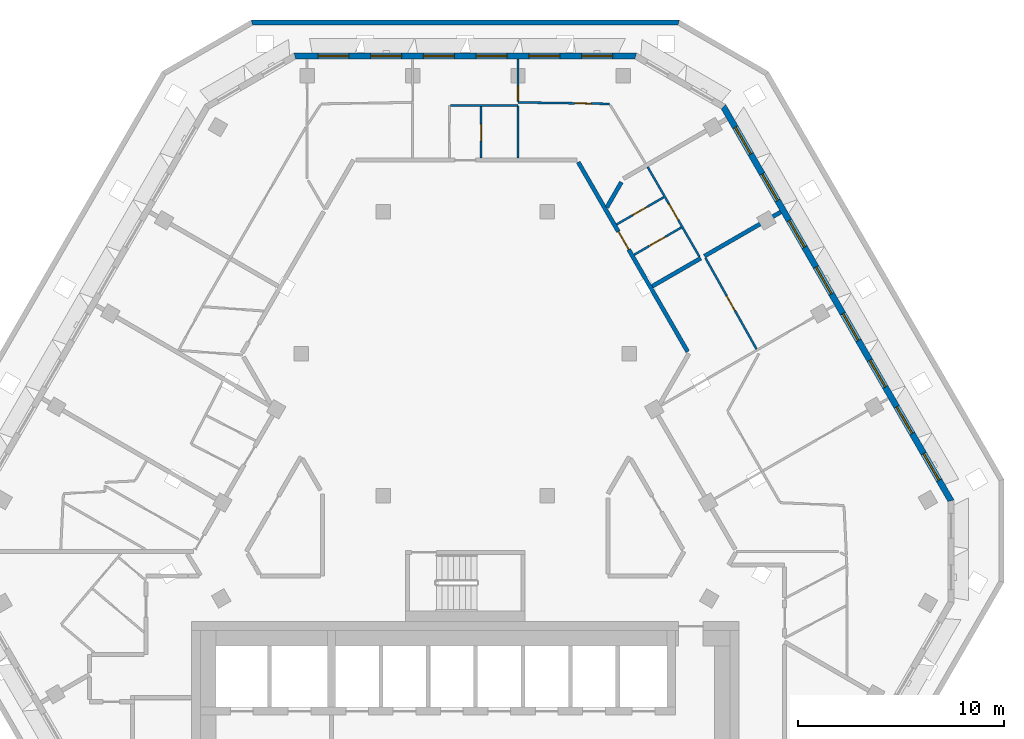
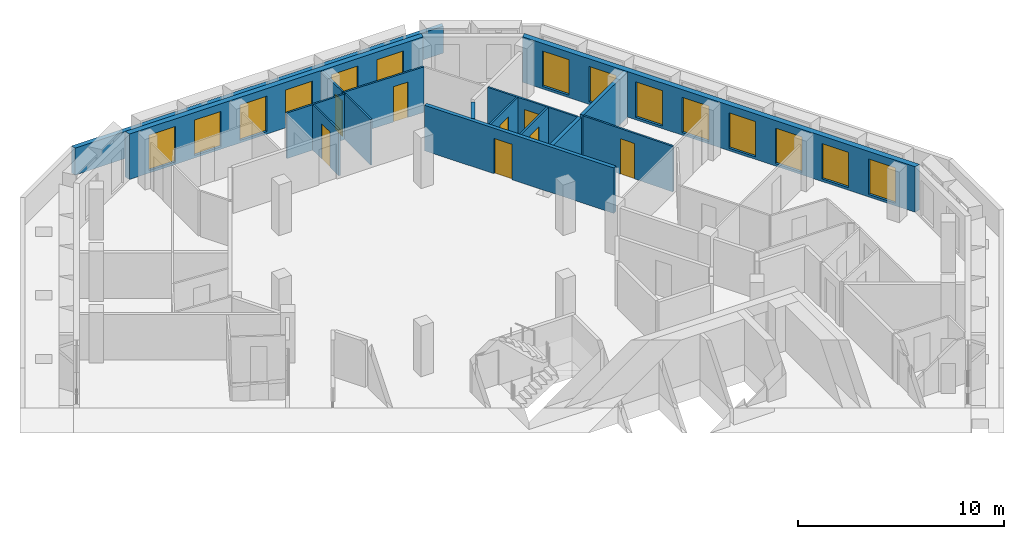
# One storey, part 8 of 15: 16 walls, 14 windows, 8 doors, 22 openings.
"""IFC4 building model written with IfcOpenShell, lengths in metres."""

from ifc_helpers import new_model, si_unit, direction, frame, frame_2d, origin, place, context, subcontext, project, spatial, polyline, rectangle, outline, extrude, material, layer, layer_set, type_object, element, fill, save


model = new_model("IFC4")

# Units and contexts
model_context = context("Model", 3, precision=1e-05, world=origin(), true_north=direction((0.0, 1.0)))
body_context = subcontext(model_context, "Body", "Model", "MODEL_VIEW")
ifc_project = project(units=[si_unit("LENGTHUNIT", "METRE"), si_unit("AREAUNIT", "SQUARE_METRE"), si_unit("VOLUMEUNIT", "CUBIC_METRE"), si_unit("PLANEANGLEUNIT", "RADIAN"), si_unit("MASSUNIT", "GRAM", prefix="KILO")], contexts=[model_context])

# Site, building, storey
site_placement = place(None, origin())
site = spatial("IfcSite", under=ifc_project, at=site_placement, CompositionType="ELEMENT")
building_placement = place(site_placement, origin())
building = spatial("IfcBuilding", under=site, at=building_placement, Name="Beryl Residences", CompositionType="ELEMENT")
storey_placement = place(building_placement, frame((0.0, 0.0, 202.800048828125)))
storey = spatial("IfcBuildingStorey", under=building, at=storey_placement, Name="L62", CompositionType="ELEMENT", Elevation=202.800048828125)

# Wall, openings, windows
ifc_material_1 = material(Name="Composite metal panel with mineral wool insulation")
ifc_layer_1 = layer(ifc_material_1, 0.300048828125)
ifc_layer_set_1 = layer_set([ifc_layer_1], Name="ES1 pale metal composite panel wall 300 mm")
wall_type_1 = type_object("IfcWallType", Name="ES1 pale metal composite panel wall 300 mm", PredefinedType="SOLIDWALL", material=ifc_layer_set_1)
wall_1_placement = place(storey_placement, frame((8.31396484375, 22.449951171875, 0.0), z_axis=(0.0, 0.0, 1.0), x_axis=(-1.0, 0.0, 0.0)))
wall_1 = element("IfcWall", 1, at=wall_1_placement, inside=storey, type_object=wall_type_1, Name="ES1 external wall L62 N", PredefinedType="SOLIDWALL", context=body_context, shape_type="SweptSolid", body=[
    extrude(outline(polyline([(0.0, -0.14990234375), (16.6279296875, -0.14990234375), (16.547607421875, 0.14990234375), (0.080322265625, 0.14990234375), (0.0, -0.14990234375)])), origin(), (0.0, 0.0, 1.0), 2.699951171875),
])
opening_1_placement = place(wall_1_placement, frame((1.1650390625, 0.0, 0.14990234375)))
opening_1 = element("IfcOpeningElement", 2, at=opening_1_placement, cuts=wall_1, Name="Opening W1", PredefinedType="OPENING", context=body_context, shape_type="SweptSolid", body=[
    extrude(rectangle(XDim=1.5, YDim=2.10009765625, at=frame_2d((0.75, 1.050048828125))), frame((0.0, 0.159912109375, 0.0), z_axis=(0.0, -1.0, 0.0), x_axis=(1.0, 0.0, 0.0)), (0.0, 0.0, 1.0), 0.320068359375),
])
opening_2_placement = place(wall_1_placement, frame((3.72412109375, 0.0, 0.14990234375)))
opening_2 = element("IfcOpeningElement", 3, at=opening_2_placement, cuts=wall_1, Name="Opening W1", PredefinedType="OPENING", context=body_context, shape_type="SweptSolid", body=[
    extrude(rectangle(XDim=1.5, YDim=2.10009765625, at=frame_2d((0.75, 1.050048828125))), frame((0.0, 0.159912109375, 0.0), z_axis=(0.0, -1.0, 0.0), x_axis=(1.0, 0.0, 0.0)), (0.0, 0.0, 1.0), 0.320068359375),
])
opening_3_placement = place(wall_1_placement, frame((6.283935546875, 0.0, 0.14990234375)))
opening_3 = element("IfcOpeningElement", 4, at=opening_3_placement, cuts=wall_1, Name="Opening W1", PredefinedType="OPENING", context=body_context, shape_type="SweptSolid", body=[
    extrude(rectangle(XDim=1.5, YDim=2.10009765625, at=frame_2d((0.75, 1.050048828125))), frame((0.0, 0.159912109375, 0.0), z_axis=(0.0, -1.0, 0.0), x_axis=(1.0, 0.0, 0.0)), (0.0, 0.0, 1.0), 0.320068359375),
])
opening_4_placement = place(wall_1_placement, frame((8.843017578125, 0.0, 0.14990234375)))
opening_4 = element("IfcOpeningElement", 5, at=opening_4_placement, cuts=wall_1, Name="Opening W1", PredefinedType="OPENING", context=body_context, shape_type="SweptSolid", body=[
    extrude(rectangle(XDim=1.5, YDim=2.10009765625, at=frame_2d((0.75, 1.050048828125))), frame((0.0, 0.159912109375, 0.0), z_axis=(0.0, -1.0, 0.0), x_axis=(1.0, 0.0, 0.0)), (0.0, 0.0, 1.0), 0.320068359375),
])
opening_5_placement = place(wall_1_placement, frame((11.403076171875, 0.0, 0.14990234375)))
opening_5 = element("IfcOpeningElement", 6, at=opening_5_placement, cuts=wall_1, Name="Opening W1", PredefinedType="OPENING", context=body_context, shape_type="SweptSolid", body=[
    extrude(rectangle(XDim=1.5, YDim=2.10009765625, at=frame_2d((0.75, 1.050048828125))), frame((0.0, 0.159912109375, 0.0), z_axis=(0.0, -1.0, 0.0), x_axis=(1.0, 0.0, 0.0)), (0.0, 0.0, 1.0), 0.320068359375),
])
opening_6_placement = place(wall_1_placement, frame((13.9619140625, 0.0, 0.14990234375)))
opening_6 = element("IfcOpeningElement", 7, at=opening_6_placement, cuts=wall_1, Name="Opening W1", PredefinedType="OPENING", context=body_context, shape_type="SweptSolid", body=[
    extrude(rectangle(XDim=1.5, YDim=2.10009765625, at=frame_2d((0.75, 1.050048828125))), frame((0.0, 0.159912109375, 0.0), z_axis=(0.0, -1.0, 0.0), x_axis=(1.0, 0.0, 0.0)), (0.0, 0.0, 1.0), 0.320068359375),
])
ifc_material_2 = material(Name="Aluminium and clear glass", Category="aluminium")
window_type = type_object("IfcWindowType", Name="W1 cell window 1500 x 2100 mm", PartitioningType="SINGLE_PANEL", PredefinedType="WINDOW", material=ifc_material_2)
window_1_placement = place(opening_1_placement, origin())
window_1 = element("IfcWindow", 8, at=window_1_placement, inside=storey, type_object=window_type, Name="W1 window L62 N 1", OverallHeight=2.10009765625, OverallWidth=1.5, PartitioningType="SINGLE_PANEL", PredefinedType="WINDOW", context=body_context, shape_type="SweptSolid", body=[
    extrude(rectangle(XDim=1.5, YDim=2.10009765625, at=frame_2d((0.75, 1.050048828125))), frame((0.0, 0.030029296875, 0.0), z_axis=(0.0, -1.0, 0.0), x_axis=(1.0, 0.0, 0.0)), (0.0, 0.0, 1.0), 0.06005859375),
])
fill(opening_1, window_1)
window_2_placement = place(opening_2_placement, origin())
window_2 = element("IfcWindow", 9, at=window_2_placement, inside=storey, type_object=window_type, Name="W1 window L62 N 2", OverallHeight=2.10009765625, OverallWidth=1.5, PartitioningType="SINGLE_PANEL", PredefinedType="WINDOW", context=body_context, shape_type="SweptSolid", body=[
    extrude(rectangle(XDim=1.5, YDim=2.10009765625, at=frame_2d((0.75, 1.050048828125))), frame((0.0, 0.030029296875, 0.0), z_axis=(0.0, -1.0, 0.0), x_axis=(1.0, 0.0, 0.0)), (0.0, 0.0, 1.0), 0.06005859375),
])
fill(opening_2, window_2)
window_3_placement = place(opening_3_placement, origin())
window_3 = element("IfcWindow", 10, at=window_3_placement, inside=storey, type_object=window_type, Name="W1 window L62 N 3", OverallHeight=2.10009765625, OverallWidth=1.5, PartitioningType="SINGLE_PANEL", PredefinedType="WINDOW", context=body_context, shape_type="SweptSolid", body=[
    extrude(rectangle(XDim=1.5, YDim=2.10009765625, at=frame_2d((0.75, 1.050048828125))), frame((0.0, 0.030029296875, 0.0), z_axis=(0.0, -1.0, 0.0), x_axis=(1.0, 0.0, 0.0)), (0.0, 0.0, 1.0), 0.06005859375),
])
fill(opening_3, window_3)
window_4_placement = place(opening_4_placement, origin())
window_4 = element("IfcWindow", 11, at=window_4_placement, inside=storey, type_object=window_type, Name="W1 window L62 N 4", OverallHeight=2.10009765625, OverallWidth=1.5, PartitioningType="SINGLE_PANEL", PredefinedType="WINDOW", context=body_context, shape_type="SweptSolid", body=[
    extrude(rectangle(XDim=1.5, YDim=2.10009765625, at=frame_2d((0.75, 1.050048828125))), frame((0.0, 0.030029296875, 0.0), z_axis=(0.0, -1.0, 0.0), x_axis=(1.0, 0.0, 0.0)), (0.0, 0.0, 1.0), 0.06005859375),
])
fill(opening_4, window_4)
window_5_placement = place(opening_5_placement, origin())
window_5 = element("IfcWindow", 12, at=window_5_placement, inside=storey, type_object=window_type, Name="W1 window L62 N 5", OverallHeight=2.10009765625, OverallWidth=1.5, PartitioningType="SINGLE_PANEL", PredefinedType="WINDOW", context=body_context, shape_type="SweptSolid", body=[
    extrude(rectangle(XDim=1.5, YDim=2.10009765625, at=frame_2d((0.75, 1.050048828125))), frame((0.0, 0.030029296875, 0.0), z_axis=(0.0, -1.0, 0.0), x_axis=(1.0, 0.0, 0.0)), (0.0, 0.0, 1.0), 0.06005859375),
])
fill(opening_5, window_5)
window_6_placement = place(opening_6_placement, origin())
window_6 = element("IfcWindow", 13, at=window_6_placement, inside=storey, type_object=window_type, Name="W1 window L62 N 6", OverallHeight=2.10009765625, OverallWidth=1.5, PartitioningType="SINGLE_PANEL", PredefinedType="WINDOW", context=body_context, shape_type="SweptSolid", body=[
    extrude(rectangle(XDim=1.5, YDim=2.10009765625, at=frame_2d((0.75, 1.050048828125))), frame((0.0, 0.030029296875, 0.0), z_axis=(0.0, -1.0, 0.0), x_axis=(1.0, 0.0, 0.0)), (0.0, 0.0, 1.0), 0.06005859375),
])
fill(opening_6, window_6)

wall_2_placement = place(storey_placement, frame((23.59912109375, 0.824951171875, 0.0), z_axis=(0.0, 0.0, 1.0), x_axis=(-0.500003656944, 0.866023292436, 0.0)))
wall_2 = element("IfcWall", 14, at=wall_2_placement, inside=storey, type_object=wall_type_1, Name="ES1 external wall L62 NE", PredefinedType="SOLIDWALL", context=body_context, shape_type="SweptSolid", body=[
    extrude(outline(polyline([(0.0, -0.14990234375), (22.170166015625, -0.14990234375), (22.08984375, 0.14990234375), (0.080322265625, 0.14990234375), (0.0, -0.14990234375)])), origin(), (0.0, 0.0, 1.0), 2.699951171875),
])
opening_7_placement = place(wall_2_placement, frame((1.19091796875, 0.0, 0.14990234375)))
opening_7 = element("IfcOpeningElement", 15, at=opening_7_placement, cuts=wall_2, Name="Opening W1", PredefinedType="OPENING", context=body_context, shape_type="SweptSolid", body=[
    extrude(rectangle(XDim=1.5, YDim=2.10009765625, at=frame_2d((0.75, 1.050048828125))), frame((0.0, 0.159912109375, 0.0), z_axis=(0.0, -1.0, 0.0), x_axis=(1.0, 0.0, 0.0)), (0.0, 0.0, 1.0), 0.320068359375),
])
opening_8_placement = place(wall_2_placement, frame((3.803955078125, 0.0, 0.14990234375)))
opening_8 = element("IfcOpeningElement", 16, at=opening_8_placement, cuts=wall_2, Name="Opening W1", PredefinedType="OPENING", context=body_context, shape_type="SweptSolid", body=[
    extrude(rectangle(XDim=1.5, YDim=2.10009765625, at=frame_2d((0.75, 1.050048828125))), frame((0.0, 0.159912109375, 0.0), z_axis=(0.0, -1.0, 0.0), x_axis=(1.0, 0.0, 0.0)), (0.0, 0.0, 1.0), 0.320068359375),
])
opening_9_placement = place(wall_2_placement, frame((6.4169921875, 0.0, 0.14990234375)))
opening_9 = element("IfcOpeningElement", 17, at=opening_9_placement, cuts=wall_2, Name="Opening W1", PredefinedType="OPENING", context=body_context, shape_type="SweptSolid", body=[
    extrude(rectangle(XDim=1.5, YDim=2.10009765625, at=frame_2d((0.75, 1.050048828125))), frame((0.0, 0.159912109375, 0.0), z_axis=(0.0, -1.0, 0.0), x_axis=(1.0, 0.0, 0.0)), (0.0, 0.0, 1.0), 0.320068359375),
])
opening_10_placement = place(wall_2_placement, frame((9.029052734375, 0.0, 0.14990234375)))
opening_10 = element("IfcOpeningElement", 18, at=opening_10_placement, cuts=wall_2, Name="Opening W1", PredefinedType="OPENING", context=body_context, shape_type="SweptSolid", body=[
    extrude(rectangle(XDim=1.5, YDim=2.10009765625, at=frame_2d((0.75, 1.050048828125))), frame((0.0, 0.159912109375, 0.0), z_axis=(0.0, -1.0, 0.0), x_axis=(1.0, 0.0, 0.0)), (0.0, 0.0, 1.0), 0.320068359375),
])
opening_11_placement = place(wall_2_placement, frame((11.64111328125, 0.0, 0.14990234375)))
opening_11 = element("IfcOpeningElement", 19, at=opening_11_placement, cuts=wall_2, Name="Opening W1", PredefinedType="OPENING", context=body_context, shape_type="SweptSolid", body=[
    extrude(rectangle(XDim=1.5, YDim=2.10009765625, at=frame_2d((0.75, 1.050048828125))), frame((0.0, 0.159912109375, 0.0), z_axis=(0.0, -1.0, 0.0), x_axis=(1.0, 0.0, 0.0)), (0.0, 0.0, 1.0), 0.320068359375),
])
opening_12_placement = place(wall_2_placement, frame((14.25390625, 0.0, 0.14990234375)))
opening_12 = element("IfcOpeningElement", 20, at=opening_12_placement, cuts=wall_2, Name="Opening W1", PredefinedType="OPENING", context=body_context, shape_type="SweptSolid", body=[
    extrude(rectangle(XDim=1.5, YDim=2.10009765625, at=frame_2d((0.75, 1.050048828125))), frame((0.0, 0.159912109375, 0.0), z_axis=(0.0, -1.0, 0.0), x_axis=(1.0, 0.0, 0.0)), (0.0, 0.0, 1.0), 0.320068359375),
])
opening_13_placement = place(wall_2_placement, frame((16.865966796875, 0.0, 0.14990234375)))
opening_13 = element("IfcOpeningElement", 21, at=opening_13_placement, cuts=wall_2, Name="Opening W1", PredefinedType="OPENING", context=body_context, shape_type="SweptSolid", body=[
    extrude(rectangle(XDim=1.5, YDim=2.10009765625, at=frame_2d((0.75, 1.050048828125))), frame((0.0, 0.159912109375, 0.0), z_axis=(0.0, -1.0, 0.0), x_axis=(1.0, 0.0, 0.0)), (0.0, 0.0, 1.0), 0.320068359375),
])
opening_14_placement = place(wall_2_placement, frame((19.47900390625, 0.0, 0.14990234375)))
opening_14 = element("IfcOpeningElement", 22, at=opening_14_placement, cuts=wall_2, Name="Opening W1", PredefinedType="OPENING", context=body_context, shape_type="SweptSolid", body=[
    extrude(rectangle(XDim=1.5, YDim=2.10009765625, at=frame_2d((0.75, 1.050048828125))), frame((0.0, 0.159912109375, 0.0), z_axis=(0.0, -1.0, 0.0), x_axis=(1.0, 0.0, 0.0)), (0.0, 0.0, 1.0), 0.320068359375),
])
window_7_placement = place(opening_7_placement, origin())
window_7 = element("IfcWindow", 23, at=window_7_placement, inside=storey, type_object=window_type, Name="W1 window L62 NE 1", OverallHeight=2.10009765625, OverallWidth=1.5, PartitioningType="SINGLE_PANEL", PredefinedType="WINDOW", context=body_context, shape_type="SweptSolid", body=[
    extrude(rectangle(XDim=1.5, YDim=2.10009765625, at=frame_2d((0.75, 1.050048828125))), frame((0.0, 0.030029296875, 0.0), z_axis=(0.0, -1.0, 0.0), x_axis=(1.0, 0.0, 0.0)), (0.0, 0.0, 1.0), 0.06005859375),
])
fill(opening_7, window_7)
window_8_placement = place(opening_8_placement, origin())
window_8 = element("IfcWindow", 24, at=window_8_placement, inside=storey, type_object=window_type, Name="W1 window L62 NE 2", OverallHeight=2.10009765625, OverallWidth=1.5, PartitioningType="SINGLE_PANEL", PredefinedType="WINDOW", context=body_context, shape_type="SweptSolid", body=[
    extrude(rectangle(XDim=1.5, YDim=2.10009765625, at=frame_2d((0.75, 1.050048828125))), frame((0.0, 0.030029296875, 0.0), z_axis=(0.0, -1.0, 0.0), x_axis=(1.0, 0.0, 0.0)), (0.0, 0.0, 1.0), 0.06005859375),
])
fill(opening_8, window_8)
window_9_placement = place(opening_9_placement, origin())
window_9 = element("IfcWindow", 25, at=window_9_placement, inside=storey, type_object=window_type, Name="W1 window L62 NE 3", OverallHeight=2.10009765625, OverallWidth=1.5, PartitioningType="SINGLE_PANEL", PredefinedType="WINDOW", context=body_context, shape_type="SweptSolid", body=[
    extrude(rectangle(XDim=1.5, YDim=2.10009765625, at=frame_2d((0.75, 1.050048828125))), frame((0.0, 0.030029296875, 0.0), z_axis=(0.0, -1.0, 0.0), x_axis=(1.0, 0.0, 0.0)), (0.0, 0.0, 1.0), 0.06005859375),
])
fill(opening_9, window_9)
window_10_placement = place(opening_10_placement, origin())
window_10 = element("IfcWindow", 26, at=window_10_placement, inside=storey, type_object=window_type, Name="W1 window L62 NE 4", OverallHeight=2.10009765625, OverallWidth=1.5, PartitioningType="SINGLE_PANEL", PredefinedType="WINDOW", context=body_context, shape_type="SweptSolid", body=[
    extrude(rectangle(XDim=1.5, YDim=2.10009765625, at=frame_2d((0.75, 1.050048828125))), frame((0.0, 0.030029296875, 0.0), z_axis=(0.0, -1.0, 0.0), x_axis=(1.0, 0.0, 0.0)), (0.0, 0.0, 1.0), 0.06005859375),
])
fill(opening_10, window_10)
window_11_placement = place(opening_11_placement, origin())
window_11 = element("IfcWindow", 27, at=window_11_placement, inside=storey, type_object=window_type, Name="W1 window L62 NE 5", OverallHeight=2.10009765625, OverallWidth=1.5, PartitioningType="SINGLE_PANEL", PredefinedType="WINDOW", context=body_context, shape_type="SweptSolid", body=[
    extrude(rectangle(XDim=1.5, YDim=2.10009765625, at=frame_2d((0.75, 1.050048828125))), frame((0.0, 0.030029296875, 0.0), z_axis=(0.0, -1.0, 0.0), x_axis=(1.0, 0.0, 0.0)), (0.0, 0.0, 1.0), 0.06005859375),
])
fill(opening_11, window_11)
window_12_placement = place(opening_12_placement, origin())
window_12 = element("IfcWindow", 28, at=window_12_placement, inside=storey, type_object=window_type, Name="W1 window L62 NE 6", OverallHeight=2.10009765625, OverallWidth=1.5, PartitioningType="SINGLE_PANEL", PredefinedType="WINDOW", context=body_context, shape_type="SweptSolid", body=[
    extrude(rectangle(XDim=1.5, YDim=2.10009765625, at=frame_2d((0.75, 1.050048828125))), frame((0.0, 0.030029296875, 0.0), z_axis=(0.0, -1.0, 0.0), x_axis=(1.0, 0.0, 0.0)), (0.0, 0.0, 1.0), 0.06005859375),
])
fill(opening_12, window_12)
window_13_placement = place(opening_13_placement, origin())
window_13 = element("IfcWindow", 29, at=window_13_placement, inside=storey, type_object=window_type, Name="W1 window L62 NE 7", OverallHeight=2.10009765625, OverallWidth=1.5, PartitioningType="SINGLE_PANEL", PredefinedType="WINDOW", context=body_context, shape_type="SweptSolid", body=[
    extrude(rectangle(XDim=1.5, YDim=2.10009765625, at=frame_2d((0.75, 1.050048828125))), frame((0.0, 0.030029296875, 0.0), z_axis=(0.0, -1.0, 0.0), x_axis=(1.0, 0.0, 0.0)), (0.0, 0.0, 1.0), 0.06005859375),
])
fill(opening_13, window_13)
window_14_placement = place(opening_14_placement, origin())
window_14 = element("IfcWindow", 30, at=window_14_placement, inside=storey, type_object=window_type, Name="W1 window L62 NE 8", OverallHeight=2.10009765625, OverallWidth=1.5, PartitioningType="SINGLE_PANEL", PredefinedType="WINDOW", context=body_context, shape_type="SweptSolid", body=[
    extrude(rectangle(XDim=1.5, YDim=2.10009765625, at=frame_2d((0.75, 1.050048828125))), frame((0.0, 0.030029296875, 0.0), z_axis=(0.0, -1.0, 0.0), x_axis=(1.0, 0.0, 0.0)), (0.0, 0.0, 1.0), 0.06005859375),
])
fill(opening_14, window_14)

# Wall
ifc_material_3 = material(Name="Precast concrete C40/50", Category="concrete")
ifc_layer_2 = layer(ifc_material_3, 0.25)
ifc_layer_set_2 = layer_set([ifc_layer_2], Name="PA1 roof parapet 250 mm")
wall_type_2 = type_object("IfcWallType", Name="PA1 roof parapet 250 mm", PredefinedType="PARAPET", material=ifc_layer_set_2)
wall_3_placement = place(storey_placement, frame((-10.39306640625, 24.074951171875, 0.0), z_axis=(0.0, 0.0, 1.0), x_axis=(1.0, 0.0, 0.0)))
element("IfcWall", 31, at=wall_3_placement, inside=storey, type_object=wall_type_2, Name="PA1 parapet L62 strip 12", PredefinedType="PARAPET", context=body_context, shape_type="SweptSolid", body=[
    extrude(outline(polyline([(0.06689453125, -0.125), (20.71923828125, -0.125), (20.7861328125, 0.125), (0.0, 0.125), (0.06689453125, -0.125)])), origin(), (0.0, 0.0, 1.0), 1.599853515625),
])

# Wall, opening, door
ifc_material_4 = material(Name="Gypsum board partition on steel studs", Category="steel")
ifc_layer_3 = layer(ifc_material_4, 0.10009765625)
ifc_layer_set_3 = layer_set([ifc_layer_3], Name="PT1 partition 100 mm gypsum board on steel studs")
wall_type_3 = type_object("IfcWallType", Name="PT1 partition 100 mm gypsum board on steel studs", PredefinedType="PARTITIONING", material=ifc_layer_set_3)
wall_4_placement = place(storey_placement, frame((8.85400390625, 17.06396484375, 0.0), z_axis=(0.0, 0.0, 1.0), x_axis=(0.500042049778, -0.866001124973, 0.0)))
wall_4 = element("IfcWall", 32, at=wall_4_placement, inside=storey, type_object=wall_type_3, Name="Wall PT1 L62 006", PredefinedType="PARTITIONING", context=body_context, shape_type="SweptSolid", body=[
    extrude(rectangle(XDim=5.025390625, YDim=0.10009765625, at=frame_2d((2.5126953125, 0.0))), origin(), (0.0, 0.0, 1.0), 2.699951171875),
])
opening_15_placement = place(wall_4_placement, frame((2.06298828125, 0.0, 0.0)))
opening_15 = element("IfcOpeningElement", 33, at=opening_15_placement, cuts=wall_4, Name="Opening D1841", PredefinedType="OPENING", context=body_context, shape_type="SweptSolid", body=[
    extrude(rectangle(XDim=0.89990234375, YDim=2.10009765625, at=frame_2d((0.449951171875, 1.050048828125))), frame((0.0, 0.06005859375, 0.0), z_axis=(0.0, -1.0, 0.0), x_axis=(1.0, 0.0, 0.0)), (0.0, 0.0, 1.0), 0.1201171875),
])
ifc_material_5 = material(Name="Timber door leaf", Category="wood")
door_type_1 = type_object("IfcDoorType", Name="D2 room door 900 x 2100 mm", OperationType="SINGLE_SWING_LEFT", PredefinedType="DOOR", material=ifc_material_5)
door_1_placement = place(opening_15_placement, origin())
door_1 = element("IfcDoor", 34, at=door_1_placement, inside=storey, type_object=door_type_1, Name="Door D1841 L62 001", OperationType="SINGLE_SWING_LEFT", OverallHeight=2.10009765625, OverallWidth=0.89990234375, PredefinedType="DOOR", context=body_context, shape_type="SweptSolid", body=[
    extrude(rectangle(XDim=0.89990234375, YDim=2.10009765625, at=frame_2d((0.449951171875, 1.050048828125))), frame((0.0, 0.02490234375, 0.0), z_axis=(0.0, -1.0, 0.0), x_axis=(1.0, 0.0, 0.0)), (0.0, 0.0, 1.0), 0.050048828125),
])
fill(opening_15, door_1)

wall_5_placement = place(storey_placement, frame((11.659912109375, 12.64990234375, 0.0), z_axis=(0.0, 0.0, 1.0), x_axis=(0.488650242737, -0.872479764965, 0.0)))
wall_5 = element("IfcWall", 35, at=wall_5_placement, inside=storey, type_object=wall_type_3, Name="Wall PT1 L62 007", PredefinedType="PARTITIONING", context=body_context, shape_type="SweptSolid", body=[
    extrude(rectangle(XDim=5.0751953125, YDim=0.10009765625, at=frame_2d((2.53759765625, 0.0))), origin(), (0.0, 0.0, 1.0), 2.699951171875),
])
opening_16_placement = place(wall_5_placement, frame((2.113037109375, 0.0, 0.0)))
opening_16 = element("IfcOpeningElement", 36, at=opening_16_placement, cuts=wall_5, Name="Opening D1837", PredefinedType="OPENING", context=body_context, shape_type="SweptSolid", body=[
    extrude(rectangle(XDim=0.800048828125, YDim=2.10009765625, at=frame_2d((0.39990234375, 1.050048828125))), frame((0.0, 0.06005859375, 0.0), z_axis=(0.0, -1.0, 0.0), x_axis=(1.0, 0.0, 0.0)), (0.0, 0.0, 1.0), 0.1201171875),
])
ifc_material_6 = material(Name="Timber door leaf", Category="wood")
door_type_2 = type_object("IfcDoorType", Name="D3 bathroom door 800 x 2100 mm", OperationType="SINGLE_SWING_LEFT", PredefinedType="DOOR", material=ifc_material_6)
door_2_placement = place(opening_16_placement, origin())
door_2 = element("IfcDoor", 37, at=door_2_placement, inside=storey, type_object=door_type_2, Name="Door D1837 L62 001", OperationType="SINGLE_SWING_LEFT", OverallHeight=2.10009765625, OverallWidth=0.800048828125, PredefinedType="DOOR", context=body_context, shape_type="SweptSolid", body=[
    extrude(rectangle(XDim=0.800048828125, YDim=2.10009765625, at=frame_2d((0.39990234375, 1.050048828125))), frame((0.0, 0.02490234375, 0.0), z_axis=(0.0, -1.0, 0.0), x_axis=(1.0, 0.0, 0.0)), (0.0, 0.0, 1.0), 0.050048828125),
])
fill(opening_16, door_2)

wall_6_placement = place(storey_placement, frame((2.56005859375, 22.300048828125, 0.0), z_axis=(0.0, 0.0, 1.0), x_axis=(0.0, -1.0, 0.0)))
wall_6 = element("IfcWall", 38, at=wall_6_placement, inside=storey, type_object=wall_type_3, Name="Wall PT1 L62 011", PredefinedType="PARTITIONING", context=body_context, shape_type="SweptSolid", body=[
    extrude(rectangle(XDim=2.050048828125, YDim=0.10009765625, at=frame_2d((1.02490234375, 0.0))), origin(), (0.0, 0.0, 1.0), 2.699951171875),
])
opening_17_placement = place(wall_6_placement, frame((1.300048828125, 0.0, 0.0)))
opening_17 = element("IfcOpeningElement", 39, at=opening_17_placement, cuts=wall_6, Name="Opening D1805", PredefinedType="OPENING", context=body_context, shape_type="SweptSolid", body=[
    extrude(rectangle(XDim=0.699951171875, YDim=2.10009765625, at=frame_2d((0.35009765625, 1.050048828125))), frame((0.0, 0.06005859375, 0.0), z_axis=(0.0, -1.0, 0.0), x_axis=(1.0, 0.0, 0.0)), (0.0, 0.0, 1.0), 0.1201171875),
])
ifc_material_7 = material(Name="Timber door leaf", Category="wood")
door_type_3 = type_object("IfcDoorType", Name="D14 room door 700 x 2100 mm", OperationType="SINGLE_SWING_LEFT", PredefinedType="DOOR", material=ifc_material_7)
door_3_placement = place(opening_17_placement, origin())
door_3 = element("IfcDoor", 40, at=door_3_placement, inside=storey, type_object=door_type_3, Name="Door D1805 L62 001", OperationType="SINGLE_SWING_LEFT", OverallHeight=2.10009765625, OverallWidth=0.699951171875, PredefinedType="DOOR", context=body_context, shape_type="SweptSolid", body=[
    extrude(rectangle(XDim=0.699951171875, YDim=2.10009765625, at=frame_2d((0.35009765625, 1.050048828125))), frame((0.0, 0.02490234375, 0.0), z_axis=(0.0, -1.0, 0.0), x_axis=(1.0, 0.0, 0.0)), (0.0, 0.0, 1.0), 0.050048828125),
])
fill(opening_17, door_3)

# Wall
wall_7_placement = place(storey_placement, frame((2.56005859375, 20.030029296875, 0.0), z_axis=(0.0, 0.0, 1.0), x_axis=(0.0, -1.0, 0.0)))
element("IfcWall", 41, at=wall_7_placement, inside=storey, type_object=wall_type_3, Name="Wall PT1 L62 012", PredefinedType="PARTITIONING", context=body_context, shape_type="SweptSolid", body=[
    extrude(rectangle(XDim=2.530029296875, YDim=0.10009765625, at=frame_2d((1.26513671875, 0.0))), origin(), (0.0, 0.0, 1.0), 2.699951171875),
])

# Wall, opening, door
wall_8_placement = place(storey_placement, frame((2.56005859375, 20.199951171875, 0.0), z_axis=(0.0, 0.0, 1.0), x_axis=(0.999868576801, -0.016212005615, 0.0)))
wall_8 = element("IfcWall", 42, at=wall_8_placement, inside=storey, type_object=wall_type_3, Name="Wall PT1 L62 013", PredefinedType="PARTITIONING", context=body_context, shape_type="SweptSolid", body=[
    extrude(rectangle(XDim=4.4423828125, YDim=0.10009765625, at=frame_2d((2.22119140625, 0.0))), origin(), (0.0, 0.0, 1.0), 2.699951171875),
])
opening_18_placement = place(wall_8_placement, frame((2.74609375, 0.0, 0.0)))
opening_18 = element("IfcOpeningElement", 43, at=opening_18_placement, cuts=wall_8, Name="Opening D1806", PredefinedType="OPENING", context=body_context, shape_type="SweptSolid", body=[
    extrude(rectangle(XDim=0.800048828125, YDim=2.10009765625, at=frame_2d((0.39990234375, 1.050048828125))), frame((0.0, 0.06005859375, 0.0), z_axis=(0.0, -1.0, 0.0), x_axis=(1.0, 0.0, 0.0)), (0.0, 0.0, 1.0), 0.1201171875),
])
door_4_placement = place(opening_18_placement, origin())
door_4 = element("IfcDoor", 44, at=door_4_placement, inside=storey, type_object=door_type_2, Name="Door D1806 L62 001", OperationType="SINGLE_SWING_RIGHT", OverallHeight=2.10009765625, OverallWidth=0.800048828125, PredefinedType="DOOR", context=body_context, shape_type="SweptSolid", body=[
    extrude(rectangle(XDim=0.800048828125, YDim=2.10009765625, at=frame_2d((0.39990234375, 1.050048828125))), frame((0.0, 0.02490234375, 0.0), z_axis=(0.0, -1.0, 0.0), x_axis=(1.0, 0.0, 0.0)), (0.0, 0.0, 1.0), 0.050048828125),
])
fill(opening_18, door_4)

# Wall
wall_9_placement = place(storey_placement, frame((-0.716064453125, 20.06005859375, 0.0), z_axis=(0.0, 0.0, 1.0), x_axis=(1.0, 0.0, 0.0)))
element("IfcWall", 45, at=wall_9_placement, inside=storey, type_object=wall_type_3, Name="Wall PT1 L62 026", PredefinedType="PARTITIONING", context=body_context, shape_type="SweptSolid", body=[
    extrude(rectangle(XDim=3.276123046875, YDim=0.10009765625, at=frame_2d((1.63818359375, 0.0))), origin(), (0.0, 0.0, 1.0), 2.699951171875),
])

# Wall, opening, door
wall_10_placement = place(storey_placement, frame((0.76806640625, 17.5, 0.0), z_axis=(0.0, 0.0, 1.0), x_axis=(0.0, 1.0, 0.0)))
wall_10 = element("IfcWall", 46, at=wall_10_placement, inside=storey, type_object=wall_type_3, Name="Wall PT1 L62 037", PredefinedType="PARTITIONING", context=body_context, shape_type="SweptSolid", body=[
    extrude(rectangle(XDim=2.510009765625, YDim=0.10009765625, at=frame_2d((1.2548828125, 0.0))), origin(), (0.0, 0.0, 1.0), 2.699951171875),
])
opening_19_placement = place(wall_10_placement, frame((0.830078125, 0.0, 0.0)))
opening_19 = element("IfcOpeningElement", 47, at=opening_19_placement, cuts=wall_10, Name="Opening D1803", PredefinedType="OPENING", context=body_context, shape_type="SweptSolid", body=[
    extrude(rectangle(XDim=0.800048828125, YDim=2.10009765625, at=frame_2d((0.39990234375, 1.050048828125))), frame((0.0, 0.06005859375, 0.0), z_axis=(0.0, -1.0, 0.0), x_axis=(1.0, 0.0, 0.0)), (0.0, 0.0, 1.0), 0.1201171875),
])
door_5_placement = place(opening_19_placement, origin())
door_5 = element("IfcDoor", 48, at=door_5_placement, inside=storey, type_object=door_type_2, Name="Door D1803 L62 001", OperationType="SINGLE_SWING_LEFT", OverallHeight=2.10009765625, OverallWidth=0.800048828125, PredefinedType="DOOR", context=body_context, shape_type="SweptSolid", body=[
    extrude(rectangle(XDim=0.800048828125, YDim=2.10009765625, at=frame_2d((0.39990234375, 1.050048828125))), frame((0.0, 0.02490234375, 0.0), z_axis=(0.0, -1.0, 0.0), x_axis=(1.0, 0.0, 0.0)), (0.0, 0.0, 1.0), 0.050048828125),
])
fill(opening_19, door_5)

wall_11_placement = place(storey_placement, frame((8.197021484375, 12.802001953125, 0.0), z_axis=(0.0, 0.0, 1.0), x_axis=(0.866029095148, 0.499993606316, 0.0)))
wall_11 = element("IfcWall", 49, at=wall_11_placement, inside=storey, type_object=wall_type_3, Name="Wall PT1 L62 049", PredefinedType="PARTITIONING", context=body_context, shape_type="SweptSolid", body=[
    extrude(rectangle(XDim=2.64990234375, YDim=0.10009765625, at=frame_2d((1.324951171875, 0.0))), origin(), (0.0, 0.0, 1.0), 2.699951171875),
])
opening_20_placement = place(wall_11_placement, frame((0.85009765625, 0.0, 0.0)))
opening_20 = element("IfcOpeningElement", 50, at=opening_20_placement, cuts=wall_11, Name="Opening D1840", PredefinedType="OPENING", context=body_context, shape_type="SweptSolid", body=[
    extrude(rectangle(XDim=0.89990234375, YDim=2.10009765625, at=frame_2d((0.449951171875, 1.050048828125))), frame((0.0, 0.06005859375, 0.0), z_axis=(0.0, -1.0, 0.0), x_axis=(1.0, 0.0, 0.0)), (0.0, 0.0, 1.0), 0.1201171875),
])
door_6_placement = place(opening_20_placement, origin())
door_6 = element("IfcDoor", 51, at=door_6_placement, inside=storey, type_object=door_type_1, Name="Door D1840 L62 001", OperationType="SINGLE_SWING_RIGHT", OverallHeight=2.10009765625, OverallWidth=0.89990234375, PredefinedType="DOOR", context=body_context, shape_type="SweptSolid", body=[
    extrude(rectangle(XDim=0.89990234375, YDim=2.10009765625, at=frame_2d((0.449951171875, 1.050048828125))), frame((0.0, 0.02490234375, 0.0), z_axis=(0.0, -1.0, 0.0), x_axis=(1.0, 0.0, 0.0)), (0.0, 0.0, 1.0), 0.050048828125),
])
fill(opening_20, door_6)

wall_12_placement = place(storey_placement, frame((7.346923828125, 14.27392578125, 0.0), z_axis=(0.0, 0.0, 1.0), x_axis=(0.86601223543, 0.500022807565, 0.0)))
wall_12 = element("IfcWall", 52, at=wall_12_placement, inside=storey, type_object=wall_type_3, Name="Wall PT1 L62 050", PredefinedType="PARTITIONING", context=body_context, shape_type="SweptSolid", body=[
    extrude(rectangle(XDim=2.650390625, YDim=0.10009765625, at=frame_2d((1.3251953125, 0.0))), origin(), (0.0, 0.0, 1.0), 2.699951171875),
])
opening_21_placement = place(wall_12_placement, frame((0.89990234375, 0.0, 0.0)))
opening_21 = element("IfcOpeningElement", 53, at=opening_21_placement, cuts=wall_12, Name="Opening D1839", PredefinedType="OPENING", context=body_context, shape_type="SweptSolid", body=[
    extrude(rectangle(XDim=0.800048828125, YDim=2.10009765625, at=frame_2d((0.39990234375, 1.050048828125))), frame((0.0, 0.06005859375, 0.0), z_axis=(0.0, -1.0, 0.0), x_axis=(1.0, 0.0, 0.0)), (0.0, 0.0, 1.0), 0.1201171875),
])
door_7_placement = place(opening_21_placement, origin())
door_7 = element("IfcDoor", 54, at=door_7_placement, inside=storey, type_object=door_type_2, Name="Door D1839 L62 001", OperationType="SINGLE_SWING_LEFT", OverallHeight=2.10009765625, OverallWidth=0.800048828125, PredefinedType="DOOR", context=body_context, shape_type="SweptSolid", body=[
    extrude(rectangle(XDim=0.800048828125, YDim=2.10009765625, at=frame_2d((0.39990234375, 1.050048828125))), frame((0.0, 0.02490234375, 0.0), z_axis=(0.0, -1.0, 0.0), x_axis=(1.0, 0.0, 0.0)), (0.0, 0.0, 1.0), 0.050048828125),
])
fill(opening_21, door_7)

# Walls
ifc_material_8 = material(Name="Acoustic double stud gypsum board wall")
ifc_layer_4 = layer(ifc_material_8, 0.199951171875)
ifc_layer_set_4 = layer_set([ifc_layer_4], Name="PT3 party wall 200 mm acoustic double stud")
wall_type_4 = type_object("IfcWallType", Name="PT3 party wall 200 mm acoustic double stud", PredefinedType="PARTITIONING", material=ifc_layer_set_4)
wall_13_placement = place(storey_placement, frame((6.87109375, 15.10009765625, 0.0), z_axis=(0.0, 0.0, 1.0), x_axis=(0.50006528296, 0.865987709369, 0.0)))
element("IfcWall", 55, at=wall_13_placement, inside=storey, type_object=wall_type_4, Name="Wall PT3 L62 009", PredefinedType="PARTITIONING", context=body_context, shape_type="SweptSolid", body=[
    extrude(rectangle(XDim=1.417724609375, YDim=0.199951171875, at=frame_2d((0.708984375, 0.0))), origin(), (0.0, 0.0, 1.0), 2.699951171875),
])
wall_14_placement = place(storey_placement, frame((9.0791015625, 11.27490234375, 0.0), z_axis=(0.0, 0.0, 1.0), x_axis=(0.865952340496, 0.500126527981, 0.0)))
element("IfcWall", 56, at=wall_14_placement, inside=storey, type_object=wall_type_4, Name="Wall PT3 L62 010", PredefinedType="PARTITIONING", context=body_context, shape_type="SweptSolid", body=[
    extrude(rectangle(XDim=2.719482421875, YDim=0.199951171875, at=frame_2d((1.35986328125, 0.0))), origin(), (0.0, 0.0, 1.0), 2.699951171875),
])
wall_15_placement = place(storey_placement, frame((11.611083984375, 12.737060546875, 0.0), z_axis=(0.0, 0.0, 1.0), x_axis=(0.866017282483, 0.500014066243, 0.0)))
element("IfcWall", 57, at=wall_15_placement, inside=storey, type_object=wall_type_4, Name="Wall PT3 L62 011", PredefinedType="PARTITIONING", context=body_context, shape_type="SweptSolid", body=[
    extrude(rectangle(XDim=4.27587890625, YDim=0.199951171875, at=frame_2d((2.137939453125, 0.0))), origin(), (0.0, 0.0, 1.0), 2.699951171875),
])

# Wall, opening, door
ifc_material_9 = material(Name="Double stud gypsum board wall")
ifc_layer_5 = layer(ifc_material_9, 0.199951171875)
ifc_layer_set_5 = layer_set([ifc_layer_5], Name="PT4 corridor wall 200 mm double stud")
wall_type_5 = type_object("IfcWallType", Name="PT4 corridor wall 200 mm double stud", PredefinedType="PARTITIONING", material=ifc_layer_set_5)
wall_16_placement = place(storey_placement, frame((5.485107421875, 17.300048828125, 0.0), z_axis=(0.0, 0.0, 1.0), x_axis=(0.499943285704, -0.866058145322, 0.0)))
wall_16 = element("IfcWall", 58, at=wall_16_placement, inside=storey, type_object=wall_type_5, Name="Wall PT4 L62 007", PredefinedType="PARTITIONING", context=body_context, shape_type="SweptSolid", body=[
    extrude(rectangle(XDim=10.622802734375, YDim=0.199951171875, at=frame_2d((5.3115234375, 0.0))), origin(), (0.0, 0.0, 1.0), 2.699951171875),
])
opening_22_placement = place(wall_16_placement, frame((3.90087890625, 0.0, 0.0)))
opening_22 = element("IfcOpeningElement", 59, at=opening_22_placement, cuts=wall_16, Name="Opening D1838", PredefinedType="OPENING", context=body_context, shape_type="SweptSolid", body=[
    extrude(rectangle(XDim=1.0, YDim=2.10009765625, at=frame_2d((0.5, 1.050048828125))), frame((0.0, 0.10986328125, 0.0), z_axis=(0.0, -1.0, 0.0), x_axis=(1.0, 0.0, 0.0)), (0.0, 0.0, 1.0), 0.219970703125),
])
ifc_material_10 = material(Name="Timber door leaf", Category="wood")
door_type_4 = type_object("IfcDoorType", Name="D1 flat entrance door 1000 x 2100 mm", OperationType="SINGLE_SWING_LEFT", PredefinedType="DOOR", material=ifc_material_10)
door_8_placement = place(opening_22_placement, origin())
door_8 = element("IfcDoor", 60, at=door_8_placement, inside=storey, type_object=door_type_4, Name="Door D1838 L62 001", OperationType="SINGLE_SWING_RIGHT", OverallHeight=2.10009765625, OverallWidth=1.0, PredefinedType="DOOR", context=body_context, shape_type="SweptSolid", body=[
    extrude(rectangle(XDim=1.0, YDim=2.10009765625, at=frame_2d((0.5, 1.050048828125))), frame((0.0, 0.02490234375, 0.0), z_axis=(0.0, -1.0, 0.0), x_axis=(1.0, 0.0, 0.0)), (0.0, 0.0, 1.0), 0.050048828125),
])
fill(opening_22, door_8)

save(model, "model.ifc")
